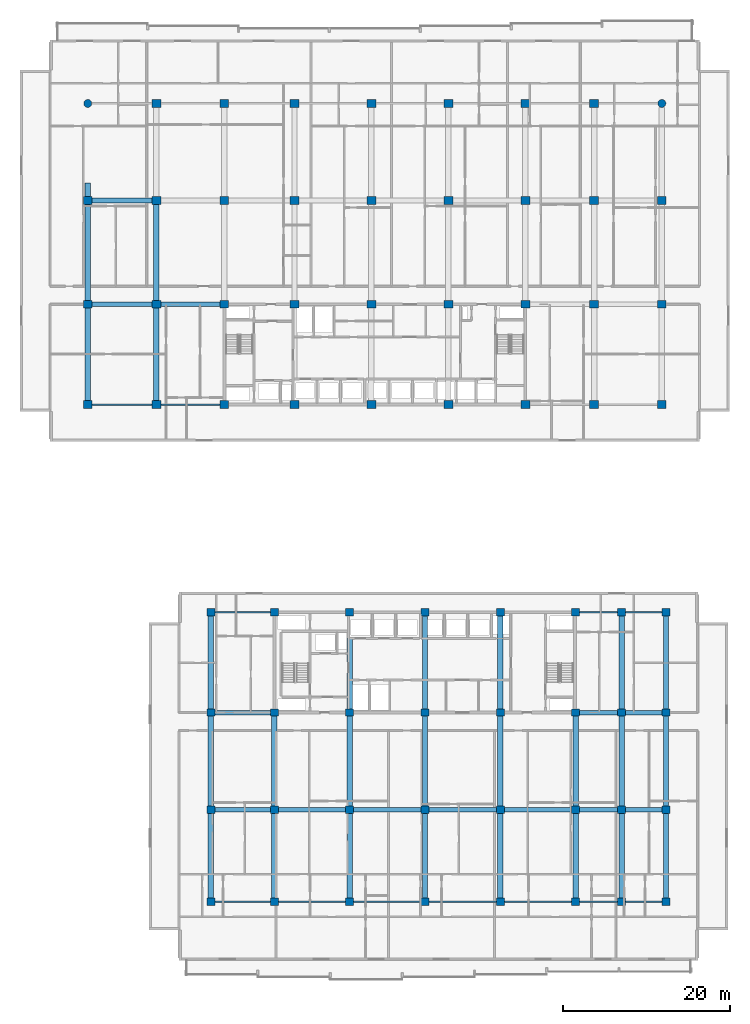
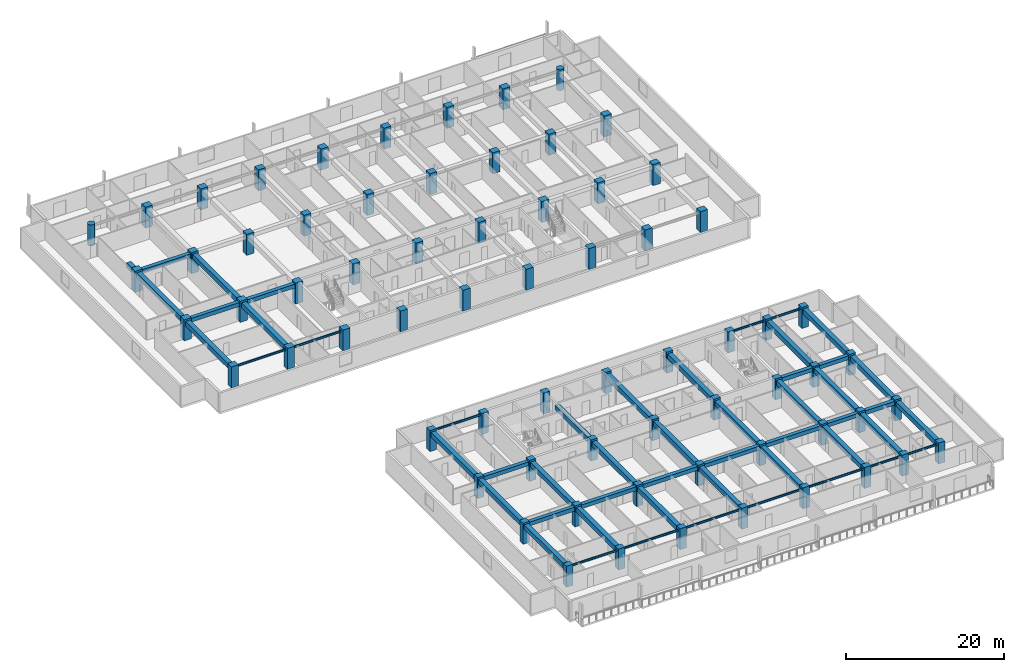
# One storey, part 1 of 24: 68 columns, 52 beams.
"""IFC4 building model written with IfcOpenShell, lengths in metres."""

from ifc_helpers import new_model, si_unit, direction, frame, origin, origin_2d, place, context, subcontext, project, spatial, rectangle, circle, i_section, extrude, material, material_profile, profile_set, type_object, element, save


model = new_model("IFC4")

# Units and contexts
model_context = context("Model", 3, precision=1e-05, world=origin(), true_north=direction((0.0, 1.0)))
body_context = subcontext(model_context, "Body", "Model", "MODEL_VIEW")
ifc_project = project(units=[si_unit("LENGTHUNIT", "METRE"), si_unit("AREAUNIT", "SQUARE_METRE"), si_unit("VOLUMEUNIT", "CUBIC_METRE"), si_unit("PLANEANGLEUNIT", "RADIAN"), si_unit("MASSUNIT", "GRAM", prefix="KILO")], contexts=[model_context])

# Site, building, storey
site_placement = place(None, origin())
site = spatial("IfcSite", under=ifc_project, at=site_placement, CompositionType="ELEMENT")
building_placement = place(site_placement, origin())
building = spatial("IfcBuilding", under=site, at=building_placement, Name="Korimba Cascade Residences", CompositionType="ELEMENT")
storey_placement = place(building_placement, frame((0.0, 0.0, 63.0)))
storey = spatial("IfcBuildingStorey", under=building, at=storey_placement, Name="L17", CompositionType="ELEMENT", Elevation=63.0)

# Columns
ifc_material_1 = material(Name="Concrete C80/95", Category="concrete")
ifc_material_profile_1 = material_profile(ifc_material_1, rectangle(XDim=1.050048828125, YDim=0.949951171875, at=origin_2d()), Name="Concrete C80/95")
ifc_profile_set_1 = profile_set([ifc_material_profile_1], Name="Concrete C80/95")
column_type_1 = type_object("IfcColumnType", Name="COL-RC-1050", PredefinedType="COLUMN", material=ifc_profile_set_1)
for number, where, z_axis, x_axis, name in (
    (1, (59.800048828125, 55.199951171875, 0.0), (0.0, 0.0, 1.0), (1.0, 0.0, 0.0), "L17 Tower 1 Column 1.1"),
    (2, (59.800048828125, 67.199951171875, 0.0), (0.0, 0.0, 1.0), (1.0, 0.0, 0.0), "L17 Tower 1 Column 1.2"),
    (3, (59.800048828125, 79.60009765625, 0.0), (0.0, 0.0, 1.0), (1.0, 0.0, 0.0), "L17 Tower 1 Column 1.3"),
    (4, (68.0, 55.199951171875, 0.0), (0.0, 0.0, 1.0), (1.0, 0.0, 0.0), "L17 Tower 1 Column 2.1"),
    (5, (68.0, 67.199951171875, 0.0), (0.0, 0.0, 1.0), (1.0, 0.0, 0.0), "L17 Tower 1 Column 2.2"),
    (6, (68.0, 79.60009765625, 0.0), (0.0, 0.0, 1.0), (1.0, 0.0, 0.0), "L17 Tower 1 Column 2.3"),
    (7, (68.0, 91.199951171875, 0.0), (0.0, 0.0, 1.0), (1.0, 0.0, 0.0), "L17 Tower 1 Column 2.4"),
    (8, (76.10009765625, 55.199951171875, 0.0), (0.0, 0.0, 1.0), (1.0, 0.0, 0.0), "L17 Tower 1 Column 3.1"),
    (9, (76.10009765625, 67.199951171875, 0.0), (0.0, 0.0, 1.0), (1.0, 0.0, 0.0), "L17 Tower 1 Column 3.2"),
    (10, (76.10009765625, 79.60009765625, 0.0), (0.0, 0.0, 1.0), (1.0, 0.0, 0.0), "L17 Tower 1 Column 3.3"),
    (11, (76.10009765625, 91.199951171875, 0.0), (0.0, 0.0, 1.0), (1.0, 0.0, 0.0), "L17 Tower 1 Column 3.4"),
    (12, (84.5, 55.199951171875, 0.0), (0.0, 0.0, 1.0), (1.0, 0.0, 0.0), "L17 Tower 1 Column 4.1"),
    (13, (84.5, 67.199951171875, 0.0), (0.0, 0.0, 1.0), (1.0, 0.0, 0.0), "L17 Tower 1 Column 4.2"),
    (14, (84.5, 79.60009765625, 0.0), (0.0, 0.0, 1.0), (1.0, 0.0, 0.0), "L17 Tower 1 Column 4.3"),
    (15, (84.5, 91.199951171875, 0.0), (0.0, 0.0, 1.0), (1.0, 0.0, 0.0), "L17 Tower 1 Column 4.4"),
    (16, (93.699951171875, 55.199951171875, 0.0), (0.0, 0.0, 1.0), (1.0, 0.0, 0.0), "L17 Tower 1 Column 5.1"),
    (17, (93.699951171875, 67.199951171875, 0.0), (0.0, 0.0, 1.0), (1.0, 0.0, 0.0), "L17 Tower 1 Column 5.2"),
    (18, (93.699951171875, 79.60009765625, 0.0), (0.0, 0.0, 1.0), (1.0, 0.0, 0.0), "L17 Tower 1 Column 5.3"),
    (19, (93.699951171875, 91.199951171875, 0.0), (0.0, 0.0, 1.0), (1.0, 0.0, 0.0), "L17 Tower 1 Column 5.4"),
    (20, (102.89990234375, 55.199951171875, 0.0), (0.0, 0.0, 1.0), (1.0, 0.0, 0.0), "L17 Tower 1 Column 6.1"),
    (21, (102.89990234375, 67.199951171875, 0.0), (0.0, 0.0, 1.0), (1.0, 0.0, 0.0), "L17 Tower 1 Column 6.2"),
    (22, (102.89990234375, 79.60009765625, 0.0), (0.0, 0.0, 1.0), (1.0, 0.0, 0.0), "L17 Tower 1 Column 6.3"),
    (23, (102.89990234375, 91.199951171875, 0.0), (0.0, 0.0, 1.0), (1.0, 0.0, 0.0), "L17 Tower 1 Column 6.4"),
    (24, (112.10009765625, 55.199951171875, 0.0), (0.0, 0.0, 1.0), (1.0, 0.0, 0.0), "L17 Tower 1 Column 7.1"),
    (25, (112.10009765625, 67.199951171875, 0.0), (0.0, 0.0, 1.0), (1.0, 0.0, 0.0), "L17 Tower 1 Column 7.2"),
    (26, (112.10009765625, 79.60009765625, 0.0), (0.0, 0.0, 1.0), (1.0, 0.0, 0.0), "L17 Tower 1 Column 7.3"),
    (27, (112.10009765625, 91.199951171875, 0.0), (0.0, 0.0, 1.0), (1.0, 0.0, 0.0), "L17 Tower 1 Column 7.4"),
    (28, (120.300048828125, 55.199951171875, 0.0), (0.0, 0.0, 1.0), (1.0, 0.0, 0.0), "L17 Tower 1 Column 8.1"),
    (29, (120.300048828125, 67.199951171875, 0.0), (0.0, 0.0, 1.0), (1.0, 0.0, 0.0), "L17 Tower 1 Column 8.2"),
    (30, (120.300048828125, 79.60009765625, 0.0), (0.0, 0.0, 1.0), (1.0, 0.0, 0.0), "L17 Tower 1 Column 8.3"),
    (31, (120.300048828125, 91.199951171875, 0.0), (0.0, 0.0, 1.0), (1.0, 0.0, 0.0), "L17 Tower 1 Column 8.4"),
    (32, (128.39990234375, 55.199951171875, 0.0), (0.0, 0.0, 1.0), (1.0, 0.0, 0.0), "L17 Tower 1 Column 9.1"),
    (33, (128.39990234375, 67.199951171875, 0.0), (0.0, 0.0, 1.0), (1.0, 0.0, 0.0), "L17 Tower 1 Column 9.2"),
    (34, (128.39990234375, 79.60009765625, 0.0), (0.0, 0.0, 1.0), (1.0, 0.0, 0.0), "L17 Tower 1 Column 9.3"),
):
    element("IfcColumn", number, at=place(storey_placement, frame(where, z_axis=z_axis, x_axis=x_axis)), inside=storey, type_object=column_type_1, Name=name, PredefinedType="COLUMN", context=body_context, shape_type="SweptSolid", body=[
        extrude(rectangle(XDim=1.050048828125, YDim=0.949951171875, at=origin_2d()), origin(), (0.0, 0.0, 1.0), 3.25),
    ])
ifc_material_2 = material(Name="Concrete C65/80", Category="concrete")
ifc_material_profile_2 = material_profile(ifc_material_2, rectangle(XDim=0.949951171875, YDim=0.85009765625, at=origin_2d()), Name="Concrete C65/80")
ifc_profile_set_2 = profile_set([ifc_material_profile_2], Name="Concrete C65/80")
column_type_2 = type_object("IfcColumnType", Name="COL-RC-950", PredefinedType="COLUMN", material=ifc_profile_set_2)
for number, where, z_axis, x_axis, name in (
    (35, (74.5, -4.199951171875, 0.0), (0.0, 0.0, 1.0), (1.0, 0.0, 0.0), "L17 Tower 2 Column 1.1"),
    (36, (74.5, 6.800048828125, 0.0), (0.0, 0.0, 1.0), (1.0, 0.0, 0.0), "L17 Tower 2 Column 1.2"),
    (37, (74.5, 18.39990234375, 0.0), (0.0, 0.0, 1.0), (1.0, 0.0, 0.0), "L17 Tower 2 Column 1.3"),
    (38, (74.5, 30.39990234375, 0.0), (0.0, 0.0, 1.0), (1.0, 0.0, 0.0), "L17 Tower 2 Column 1.4"),
    (39, (82.10009765625, -4.199951171875, 0.0), (0.0, 0.0, 1.0), (1.0, 0.0, 0.0), "L17 Tower 2 Column 2.1"),
    (40, (82.10009765625, 6.800048828125, 0.0), (0.0, 0.0, 1.0), (1.0, 0.0, 0.0), "L17 Tower 2 Column 2.2"),
    (41, (82.10009765625, 18.39990234375, 0.0), (0.0, 0.0, 1.0), (1.0, 0.0, 0.0), "L17 Tower 2 Column 2.3"),
    (42, (82.10009765625, 30.39990234375, 0.0), (0.0, 0.0, 1.0), (1.0, 0.0, 0.0), "L17 Tower 2 Column 2.4"),
    (43, (91.10009765625, -4.199951171875, 0.0), (0.0, 0.0, 1.0), (1.0, 0.0, 0.0), "L17 Tower 2 Column 3.1"),
    (44, (91.10009765625, 6.800048828125, 0.0), (0.0, 0.0, 1.0), (1.0, 0.0, 0.0), "L17 Tower 2 Column 3.2"),
    (45, (91.10009765625, 18.39990234375, 0.0), (0.0, 0.0, 1.0), (1.0, 0.0, 0.0), "L17 Tower 2 Column 3.3"),
    (46, (91.10009765625, 30.39990234375, 0.0), (0.0, 0.0, 1.0), (1.0, 0.0, 0.0), "L17 Tower 2 Column 3.4"),
    (47, (100.10009765625, -4.199951171875, 0.0), (0.0, 0.0, 1.0), (1.0, 0.0, 0.0), "L17 Tower 2 Column 4.1"),
    (48, (100.10009765625, 6.800048828125, 0.0), (0.0, 0.0, 1.0), (1.0, 0.0, 0.0), "L17 Tower 2 Column 4.2"),
    (49, (100.10009765625, 18.39990234375, 0.0), (0.0, 0.0, 1.0), (1.0, 0.0, 0.0), "L17 Tower 2 Column 4.3"),
    (50, (100.10009765625, 30.39990234375, 0.0), (0.0, 0.0, 1.0), (1.0, 0.0, 0.0), "L17 Tower 2 Column 4.4"),
    (51, (109.10009765625, -4.199951171875, 0.0), (0.0, 0.0, 1.0), (1.0, 0.0, 0.0), "L17 Tower 2 Column 5.1"),
    (52, (109.10009765625, 6.800048828125, 0.0), (0.0, 0.0, 1.0), (1.0, 0.0, 0.0), "L17 Tower 2 Column 5.2"),
    (53, (109.10009765625, 18.39990234375, 0.0), (0.0, 0.0, 1.0), (1.0, 0.0, 0.0), "L17 Tower 2 Column 5.3"),
    (54, (109.10009765625, 30.39990234375, 0.0), (0.0, 0.0, 1.0), (1.0, 0.0, 0.0), "L17 Tower 2 Column 5.4"),
    (55, (118.10009765625, -4.199951171875, 0.0), (0.0, 0.0, 1.0), (1.0, 0.0, 0.0), "L17 Tower 2 Column 6.1"),
    (56, (118.10009765625, 6.800048828125, 0.0), (0.0, 0.0, 1.0), (1.0, 0.0, 0.0), "L17 Tower 2 Column 6.2"),
    (57, (118.10009765625, 18.39990234375, 0.0), (0.0, 0.0, 1.0), (1.0, 0.0, 0.0), "L17 Tower 2 Column 6.3"),
    (58, (118.10009765625, 30.39990234375, 0.0), (0.0, 0.0, 1.0), (1.0, 0.0, 0.0), "L17 Tower 2 Column 6.4"),
    (59, (123.60009765625, -4.199951171875, 0.0), (0.0, 0.0, 1.0), (1.0, 0.0, 0.0), "L17 Tower 2 Column 7.1"),
    (60, (123.60009765625, 6.800048828125, 0.0), (0.0, 0.0, 1.0), (1.0, 0.0, 0.0), "L17 Tower 2 Column 7.2"),
    (61, (123.60009765625, 18.39990234375, 0.0), (0.0, 0.0, 1.0), (1.0, 0.0, 0.0), "L17 Tower 2 Column 7.3"),
    (62, (123.60009765625, 30.39990234375, 0.0), (0.0, 0.0, 1.0), (1.0, 0.0, 0.0), "L17 Tower 2 Column 7.4"),
    (63, (128.89990234375, -4.199951171875, 0.0), (0.0, 0.0, 1.0), (1.0, 0.0, 0.0), "L17 Tower 2 Column 8.1"),
    (64, (128.89990234375, 6.800048828125, 0.0), (0.0, 0.0, 1.0), (1.0, 0.0, 0.0), "L17 Tower 2 Column 8.2"),
    (65, (128.89990234375, 18.39990234375, 0.0), (0.0, 0.0, 1.0), (1.0, 0.0, 0.0), "L17 Tower 2 Column 8.3"),
    (66, (128.89990234375, 30.39990234375, 0.0), (0.0, 0.0, 1.0), (1.0, 0.0, 0.0), "L17 Tower 2 Column 8.4"),
):
    element("IfcColumn", number, at=place(storey_placement, frame(where, z_axis=z_axis, x_axis=x_axis)), inside=storey, type_object=column_type_2, Name=name, PredefinedType="COLUMN", context=body_context, shape_type="SweptSolid", body=[
        extrude(rectangle(XDim=0.949951171875, YDim=0.85009765625, at=origin_2d()), origin(), (0.0, 0.0, 1.0), 3.25),
    ])
ifc_material_profile_3 = material_profile(ifc_material_1, circle(Radius=0.47509765625, at=origin_2d()), Name="Concrete C80/95")
ifc_profile_set_3 = profile_set([ifc_material_profile_3], Name="Concrete C80/95")
column_type_3 = type_object("IfcColumnType", Name="COL-RC-D950", PredefinedType="COLUMN", material=ifc_profile_set_3)
for number, where, z_axis, x_axis, name in (
    (67, (59.800048828125, 91.199951171875, 0.0), (0.0, 0.0, 1.0), (1.0, 0.0, 0.0), "L17 Tower 1 Column 1.4"),
    (68, (128.39990234375, 91.199951171875, 0.0), (0.0, 0.0, 1.0), (1.0, 0.0, 0.0), "L17 Tower 1 Column 9.4"),
):
    element("IfcColumn", number, at=place(storey_placement, frame(where, z_axis=z_axis, x_axis=x_axis)), inside=storey, type_object=column_type_3, Name=name, PredefinedType="COLUMN", context=body_context, shape_type="SweptSolid", body=[
        extrude(circle(Radius=0.47509765625, at=origin_2d()), origin(), (0.0, 0.0, 1.0), 3.25),
    ])

# Beams
ifc_material_3 = material(Name="Concrete C50/60", Category="concrete")
ifc_material_profile_4 = material_profile(ifc_material_3, rectangle(XDim=0.550048828125, YDim=0.60009765625, at=origin_2d()), Name="Concrete C50/60")
ifc_profile_set_4 = profile_set([ifc_material_profile_4], Name="Concrete C50/60")
beam_type_1 = type_object("IfcBeamType", Name="BM-RC-B600", PredefinedType="BEAM", material=ifc_profile_set_4)
beam_1_placement = place(storey_placement, frame((60.324951171875, 67.199951171875, 2.669921875), z_axis=(1.0, 0.0, 0.0), x_axis=(0.0, 1.0, 0.0)))
element("IfcBeam", 69, at=beam_1_placement, inside=storey, type_object=beam_type_1, Name="L17 T1 E-W Girder Y2 Bay 1", PredefinedType="BEAM", context=body_context, shape_type="SweptSolid", body=[
    extrude(rectangle(XDim=0.550048828125, YDim=0.60009765625, at=origin_2d()), origin(), (0.0, 0.0, 1.0), 7.150146484375),
])
beam_2_placement = place(storey_placement, frame((68.52490234375, 67.199951171875, 2.669921875), z_axis=(1.0, 0.0, 0.0), x_axis=(0.0, 1.0, 0.0)))
element("IfcBeam", 70, at=beam_2_placement, inside=storey, type_object=beam_type_1, Name="L17 T1 E-W Girder Y2 Bay 2", PredefinedType="BEAM", context=body_context, shape_type="SweptSolid", body=[
    extrude(rectangle(XDim=0.550048828125, YDim=0.60009765625, at=origin_2d()), origin(), (0.0, 0.0, 1.0), 7.050048828125),
])
beam_3_placement = place(storey_placement, frame((60.324951171875, 79.60009765625, 2.669921875), z_axis=(1.0, 0.0, 0.0), x_axis=(0.0, 1.0, 0.0)))
element("IfcBeam", 71, at=beam_3_placement, inside=storey, type_object=beam_type_1, Name="L17 T1 E-W Girder Y3 Bay 1", PredefinedType="BEAM", context=body_context, shape_type="SweptSolid", body=[
    extrude(rectangle(XDim=0.550048828125, YDim=0.60009765625, at=origin_2d()), origin(), (0.0, 0.0, 1.0), 7.150146484375),
])
beam_4_placement = place(storey_placement, frame((74.97509765625, 6.800048828125, 2.669921875), z_axis=(1.0, 0.0, 0.0), x_axis=(0.0, 1.0, 0.0)))
element("IfcBeam", 72, at=beam_4_placement, inside=storey, type_object=beam_type_1, Name="L17 T2 E-W Girder Y2 Bay 1", PredefinedType="BEAM", context=body_context, shape_type="SweptSolid", body=[
    extrude(rectangle(XDim=0.550048828125, YDim=0.60009765625, at=origin_2d()), origin(), (0.0, 0.0, 1.0), 6.64990234375),
])
for number, where, z_axis, x_axis, name in (
    (73, (82.574951171875, 6.800048828125, 2.669921875), (1.0, 0.0, 0.0), (0.0, 1.0, 0.0), "L17 T2 E-W Girder Y2 Bay 2"),
    (74, (91.574951171875, 6.800048828125, 2.669921875), (1.0, 0.0, 0.0), (0.0, 1.0, 0.0), "L17 T2 E-W Girder Y2 Bay 3"),
    (75, (100.574951171875, 6.800048828125, 2.669921875), (1.0, 0.0, 0.0), (0.0, 1.0, 0.0), "L17 T2 E-W Girder Y2 Bay 4"),
    (76, (109.574951171875, 6.800048828125, 2.669921875), (1.0, 0.0, 0.0), (0.0, 1.0, 0.0), "L17 T2 E-W Girder Y2 Bay 5"),
):
    element("IfcBeam", number, at=place(storey_placement, frame(where, z_axis=z_axis, x_axis=x_axis)), inside=storey, type_object=beam_type_1, Name=name, PredefinedType="BEAM", context=body_context, shape_type="SweptSolid", body=[
        extrude(rectangle(XDim=0.550048828125, YDim=0.60009765625, at=origin_2d()), origin(), (0.0, 0.0, 1.0), 8.050048828125),
    ])
beam_5_placement = place(storey_placement, frame((118.574951171875, 6.800048828125, 2.669921875), z_axis=(1.0, 0.0, 0.0), x_axis=(0.0, 1.0, 0.0)))
element("IfcBeam", 77, at=beam_5_placement, inside=storey, type_object=beam_type_1, Name="L17 T2 E-W Girder Y2 Bay 6", PredefinedType="BEAM", context=body_context, shape_type="SweptSolid", body=[
    extrude(rectangle(XDim=0.550048828125, YDim=0.60009765625, at=origin_2d()), origin(), (0.0, 0.0, 1.0), 4.550048828125),
])
beam_6_placement = place(storey_placement, frame((124.074951171875, 6.800048828125, 2.669921875), z_axis=(1.0, 0.0, 0.0), x_axis=(0.0, 1.0, 0.0)))
element("IfcBeam", 78, at=beam_6_placement, inside=storey, type_object=beam_type_1, Name="L17 T2 E-W Girder Y2 Bay 7", PredefinedType="BEAM", context=body_context, shape_type="SweptSolid", body=[
    extrude(rectangle(XDim=0.550048828125, YDim=0.60009765625, at=origin_2d()), origin(), (0.0, 0.0, 1.0), 4.35009765625),
])
beam_7_placement = place(storey_placement, frame((74.97509765625, 18.39990234375, 2.669921875), z_axis=(1.0, 0.0, 0.0), x_axis=(0.0, 1.0, 0.0)))
element("IfcBeam", 79, at=beam_7_placement, inside=storey, type_object=beam_type_1, Name="L17 T2 E-W Girder Y3 Bay 1", PredefinedType="BEAM", context=body_context, shape_type="SweptSolid", body=[
    extrude(rectangle(XDim=0.550048828125, YDim=0.60009765625, at=origin_2d()), origin(), (0.0, 0.0, 1.0), 6.64990234375),
])
beam_8_placement = place(storey_placement, frame((118.574951171875, 18.39990234375, 2.669921875), z_axis=(1.0, 0.0, 0.0), x_axis=(0.0, 1.0, 0.0)))
element("IfcBeam", 80, at=beam_8_placement, inside=storey, type_object=beam_type_1, Name="L17 T2 E-W Girder Y3 Bay 6", PredefinedType="BEAM", context=body_context, shape_type="SweptSolid", body=[
    extrude(rectangle(XDim=0.550048828125, YDim=0.60009765625, at=origin_2d()), origin(), (0.0, 0.0, 1.0), 4.550048828125),
])
beam_9_placement = place(storey_placement, frame((124.074951171875, 18.39990234375, 2.669921875), z_axis=(1.0, 0.0, 0.0), x_axis=(0.0, 1.0, 0.0)))
element("IfcBeam", 81, at=beam_9_placement, inside=storey, type_object=beam_type_1, Name="L17 T2 E-W Girder Y3 Bay 7", PredefinedType="BEAM", context=body_context, shape_type="SweptSolid", body=[
    extrude(rectangle(XDim=0.550048828125, YDim=0.60009765625, at=origin_2d()), origin(), (0.0, 0.0, 1.0), 4.35009765625),
])
ifc_material_profile_5 = material_profile(ifc_material_3, rectangle(XDim=0.64990234375, YDim=0.75, at=origin_2d()), Name="Concrete C50/60")
ifc_profile_set_5 = profile_set([ifc_material_profile_5], Name="Concrete C50/60")
beam_type_2 = type_object("IfcBeamType", Name="BM-RC-G750", PredefinedType="BEAM", material=ifc_profile_set_5)
beam_10_placement = place(storey_placement, frame((59.800048828125, 55.675048828125, 2.594970703125), z_axis=(0.0, 1.0, 0.0), x_axis=(-1.0, 0.0, 0.0)))
element("IfcBeam", 82, at=beam_10_placement, inside=storey, type_object=beam_type_2, Name="L17 T1 N-S Girder X1 Seg 1", PredefinedType="BEAM", context=body_context, shape_type="SweptSolid", body=[
    extrude(rectangle(XDim=0.64990234375, YDim=0.75, at=origin_2d()), origin(), (0.0, 0.0, 1.0), 11.050048828125),
])
beam_11_placement = place(storey_placement, frame((59.800048828125, 67.675048828125, 2.594970703125), z_axis=(0.0, 1.0, 0.0), x_axis=(-1.0, 0.0, 0.0)))
element("IfcBeam", 83, at=beam_11_placement, inside=storey, type_object=beam_type_2, Name="L17 T1 N-S Girder X1 Seg 2", PredefinedType="BEAM", context=body_context, shape_type="SweptSolid", body=[
    extrude(rectangle(XDim=0.64990234375, YDim=0.75, at=origin_2d()), origin(), (0.0, 0.0, 1.0), 11.449951171875),
])
beam_12_placement = place(storey_placement, frame((59.800048828125, 80.074951171875, 2.594970703125), z_axis=(0.0, 1.0, 0.0), x_axis=(-1.0, 0.0, 0.0)))
element("IfcBeam", 84, at=beam_12_placement, inside=storey, type_object=beam_type_2, Name="L17 T1 N-S Girder X1 Seg 3", PredefinedType="BEAM", context=body_context, shape_type="SweptSolid", body=[
    extrude(rectangle(XDim=0.64990234375, YDim=0.75, at=origin_2d()), origin(), (0.0, 0.0, 1.0), 1.625),
])
beam_13_placement = place(storey_placement, frame((68.0, 55.675048828125, 2.594970703125), z_axis=(0.0, 1.0, 0.0), x_axis=(-1.0, 0.0, 0.0)))
element("IfcBeam", 85, at=beam_13_placement, inside=storey, type_object=beam_type_2, Name="L17 T1 N-S Girder X2 Seg 1", PredefinedType="BEAM", context=body_context, shape_type="SweptSolid", body=[
    extrude(rectangle(XDim=0.64990234375, YDim=0.75, at=origin_2d()), origin(), (0.0, 0.0, 1.0), 11.050048828125),
])
beam_14_placement = place(storey_placement, frame((68.0, 67.675048828125, 2.594970703125), z_axis=(0.0, 1.0, 0.0), x_axis=(-1.0, 0.0, 0.0)))
element("IfcBeam", 86, at=beam_14_placement, inside=storey, type_object=beam_type_2, Name="L17 T1 N-S Girder X2 Seg 2", PredefinedType="BEAM", context=body_context, shape_type="SweptSolid", body=[
    extrude(rectangle(XDim=0.64990234375, YDim=0.75, at=origin_2d()), origin(), (0.0, 0.0, 1.0), 11.449951171875),
])
beam_15_placement = place(storey_placement, frame((74.5, -3.77490234375, 2.594970703125), z_axis=(0.0, 1.0, 0.0), x_axis=(-1.0, 0.0, 0.0)))
element("IfcBeam", 87, at=beam_15_placement, inside=storey, type_object=beam_type_2, Name="L17 T2 N-S Girder X1 Seg 1", PredefinedType="BEAM", context=body_context, shape_type="SweptSolid", body=[
    extrude(rectangle(XDim=0.64990234375, YDim=0.75, at=origin_2d()), origin(), (0.0, 0.0, 1.0), 10.14990234375),
])
beam_16_placement = place(storey_placement, frame((74.5, 7.22509765625, 2.594970703125), z_axis=(0.0, 1.0, 0.0), x_axis=(-1.0, 0.0, 0.0)))
element("IfcBeam", 88, at=beam_16_placement, inside=storey, type_object=beam_type_2, Name="L17 T2 N-S Girder X1 Seg 2", PredefinedType="BEAM", context=body_context, shape_type="SweptSolid", body=[
    extrude(rectangle(XDim=0.64990234375, YDim=0.75, at=origin_2d()), origin(), (0.0, 0.0, 1.0), 10.75),
])
beam_17_placement = place(storey_placement, frame((74.5, 18.824951171875, 2.594970703125), z_axis=(0.0, 1.0, 0.0), x_axis=(-1.0, 0.0, 0.0)))
element("IfcBeam", 89, at=beam_17_placement, inside=storey, type_object=beam_type_2, Name="L17 T2 N-S Girder X1 Seg 3", PredefinedType="BEAM", context=body_context, shape_type="SweptSolid", body=[
    extrude(rectangle(XDim=0.64990234375, YDim=0.75, at=origin_2d()), origin(), (0.0, 0.0, 1.0), 11.150146484375),
])
beam_18_placement = place(storey_placement, frame((82.10009765625, -3.77490234375, 2.594970703125), z_axis=(0.0, 1.0, 0.0), x_axis=(-1.0, 0.0, 0.0)))
element("IfcBeam", 90, at=beam_18_placement, inside=storey, type_object=beam_type_2, Name="L17 T2 N-S Girder X2 Seg 1", PredefinedType="BEAM", context=body_context, shape_type="SweptSolid", body=[
    extrude(rectangle(XDim=0.64990234375, YDim=0.75, at=origin_2d()), origin(), (0.0, 0.0, 1.0), 10.14990234375),
])
beam_19_placement = place(storey_placement, frame((82.10009765625, 7.22509765625, 2.594970703125), z_axis=(0.0, 1.0, 0.0), x_axis=(-1.0, 0.0, 0.0)))
element("IfcBeam", 91, at=beam_19_placement, inside=storey, type_object=beam_type_2, Name="L17 T2 N-S Girder X2 Seg 2", PredefinedType="BEAM", context=body_context, shape_type="SweptSolid", body=[
    extrude(rectangle(XDim=0.64990234375, YDim=0.75, at=origin_2d()), origin(), (0.0, 0.0, 1.0), 10.75),
])
beam_20_placement = place(storey_placement, frame((91.10009765625, -3.77490234375, 2.594970703125), z_axis=(0.0, 1.0, 0.0), x_axis=(-1.0, 0.0, 0.0)))
element("IfcBeam", 92, at=beam_20_placement, inside=storey, type_object=beam_type_2, Name="L17 T2 N-S Girder X3 Seg 1", PredefinedType="BEAM", context=body_context, shape_type="SweptSolid", body=[
    extrude(rectangle(XDim=0.64990234375, YDim=0.75, at=origin_2d()), origin(), (0.0, 0.0, 1.0), 10.14990234375),
])
beam_21_placement = place(storey_placement, frame((91.10009765625, 7.22509765625, 2.594970703125), z_axis=(0.0, 1.0, 0.0), x_axis=(-1.0, 0.0, 0.0)))
element("IfcBeam", 93, at=beam_21_placement, inside=storey, type_object=beam_type_2, Name="L17 T2 N-S Girder X3 Seg 2", PredefinedType="BEAM", context=body_context, shape_type="SweptSolid", body=[
    extrude(rectangle(XDim=0.64990234375, YDim=0.75, at=origin_2d()), origin(), (0.0, 0.0, 1.0), 10.75),
])
beam_22_placement = place(storey_placement, frame((91.10009765625, 18.824951171875, 2.594970703125), z_axis=(0.0, 1.0, 0.0), x_axis=(-1.0, 0.0, 0.0)))
element("IfcBeam", 94, at=beam_22_placement, inside=storey, type_object=beam_type_2, Name="L17 T2 N-S Girder X3 Seg 3", PredefinedType="BEAM", context=body_context, shape_type="SweptSolid", body=[
    extrude(rectangle(XDim=0.64990234375, YDim=0.75, at=origin_2d()), origin(), (0.0, 0.0, 1.0), 8.51513671875),
])
beam_23_placement = place(storey_placement, frame((100.10009765625, -3.77490234375, 2.594970703125), z_axis=(0.0, 1.0, 0.0), x_axis=(-1.0, 0.0, 0.0)))
element("IfcBeam", 95, at=beam_23_placement, inside=storey, type_object=beam_type_2, Name="L17 T2 N-S Girder X4 Seg 1", PredefinedType="BEAM", context=body_context, shape_type="SweptSolid", body=[
    extrude(rectangle(XDim=0.64990234375, YDim=0.75, at=origin_2d()), origin(), (0.0, 0.0, 1.0), 10.14990234375),
])
beam_24_placement = place(storey_placement, frame((100.10009765625, 7.22509765625, 2.594970703125), z_axis=(0.0, 1.0, 0.0), x_axis=(-1.0, 0.0, 0.0)))
element("IfcBeam", 96, at=beam_24_placement, inside=storey, type_object=beam_type_2, Name="L17 T2 N-S Girder X4 Seg 2", PredefinedType="BEAM", context=body_context, shape_type="SweptSolid", body=[
    extrude(rectangle(XDim=0.64990234375, YDim=0.75, at=origin_2d()), origin(), (0.0, 0.0, 1.0), 10.75),
])
beam_25_placement = place(storey_placement, frame((100.10009765625, 18.824951171875, 2.594970703125), z_axis=(0.0, 1.0, 0.0), x_axis=(-1.0, 0.0, 0.0)))
element("IfcBeam", 97, at=beam_25_placement, inside=storey, type_object=beam_type_2, Name="L17 T2 N-S Girder X4 Seg 3", PredefinedType="BEAM", context=body_context, shape_type="SweptSolid", body=[
    extrude(rectangle(XDim=0.64990234375, YDim=0.75, at=origin_2d()), origin(), (0.0, 0.0, 1.0), 11.150146484375),
])
beam_26_placement = place(storey_placement, frame((109.10009765625, -3.77490234375, 2.594970703125), z_axis=(0.0, 1.0, 0.0), x_axis=(-1.0, 0.0, 0.0)))
element("IfcBeam", 98, at=beam_26_placement, inside=storey, type_object=beam_type_2, Name="L17 T2 N-S Girder X5 Seg 1", PredefinedType="BEAM", context=body_context, shape_type="SweptSolid", body=[
    extrude(rectangle(XDim=0.64990234375, YDim=0.75, at=origin_2d()), origin(), (0.0, 0.0, 1.0), 10.14990234375),
])
beam_27_placement = place(storey_placement, frame((109.10009765625, 7.22509765625, 2.594970703125), z_axis=(0.0, 1.0, 0.0), x_axis=(-1.0, 0.0, 0.0)))
element("IfcBeam", 99, at=beam_27_placement, inside=storey, type_object=beam_type_2, Name="L17 T2 N-S Girder X5 Seg 2", PredefinedType="BEAM", context=body_context, shape_type="SweptSolid", body=[
    extrude(rectangle(XDim=0.64990234375, YDim=0.75, at=origin_2d()), origin(), (0.0, 0.0, 1.0), 10.75),
])
beam_28_placement = place(storey_placement, frame((109.10009765625, 18.824951171875, 2.594970703125), z_axis=(0.0, 1.0, 0.0), x_axis=(-1.0, 0.0, 0.0)))
element("IfcBeam", 100, at=beam_28_placement, inside=storey, type_object=beam_type_2, Name="L17 T2 N-S Girder X5 Seg 3", PredefinedType="BEAM", context=body_context, shape_type="SweptSolid", body=[
    extrude(rectangle(XDim=0.64990234375, YDim=0.75, at=origin_2d()), origin(), (0.0, 0.0, 1.0), 11.150146484375),
])
beam_29_placement = place(storey_placement, frame((118.10009765625, -3.77490234375, 2.594970703125), z_axis=(0.0, 1.0, 0.0), x_axis=(-1.0, 0.0, 0.0)))
element("IfcBeam", 101, at=beam_29_placement, inside=storey, type_object=beam_type_2, Name="L17 T2 N-S Girder X6 Seg 1", PredefinedType="BEAM", context=body_context, shape_type="SweptSolid", body=[
    extrude(rectangle(XDim=0.64990234375, YDim=0.75, at=origin_2d()), origin(), (0.0, 0.0, 1.0), 10.14990234375),
])
beam_30_placement = place(storey_placement, frame((118.10009765625, 7.22509765625, 2.594970703125), z_axis=(0.0, 1.0, 0.0), x_axis=(-1.0, 0.0, 0.0)))
element("IfcBeam", 102, at=beam_30_placement, inside=storey, type_object=beam_type_2, Name="L17 T2 N-S Girder X6 Seg 2", PredefinedType="BEAM", context=body_context, shape_type="SweptSolid", body=[
    extrude(rectangle(XDim=0.64990234375, YDim=0.75, at=origin_2d()), origin(), (0.0, 0.0, 1.0), 10.75),
])
beam_31_placement = place(storey_placement, frame((123.60009765625, -3.77490234375, 2.594970703125), z_axis=(0.0, 1.0, 0.0), x_axis=(-1.0, 0.0, 0.0)))
element("IfcBeam", 103, at=beam_31_placement, inside=storey, type_object=beam_type_2, Name="L17 T2 N-S Girder X7 Seg 1", PredefinedType="BEAM", context=body_context, shape_type="SweptSolid", body=[
    extrude(rectangle(XDim=0.64990234375, YDim=0.75, at=origin_2d()), origin(), (0.0, 0.0, 1.0), 10.14990234375),
])
beam_32_placement = place(storey_placement, frame((123.60009765625, 7.22509765625, 2.594970703125), z_axis=(0.0, 1.0, 0.0), x_axis=(-1.0, 0.0, 0.0)))
element("IfcBeam", 104, at=beam_32_placement, inside=storey, type_object=beam_type_2, Name="L17 T2 N-S Girder X7 Seg 2", PredefinedType="BEAM", context=body_context, shape_type="SweptSolid", body=[
    extrude(rectangle(XDim=0.64990234375, YDim=0.75, at=origin_2d()), origin(), (0.0, 0.0, 1.0), 10.75),
])
beam_33_placement = place(storey_placement, frame((123.60009765625, 18.824951171875, 2.594970703125), z_axis=(0.0, 1.0, 0.0), x_axis=(-1.0, 0.0, 0.0)))
element("IfcBeam", 105, at=beam_33_placement, inside=storey, type_object=beam_type_2, Name="L17 T2 N-S Girder X7 Seg 3", PredefinedType="BEAM", context=body_context, shape_type="SweptSolid", body=[
    extrude(rectangle(XDim=0.64990234375, YDim=0.75, at=origin_2d()), origin(), (0.0, 0.0, 1.0), 11.150146484375),
])
beam_34_placement = place(storey_placement, frame((128.89990234375, -3.77490234375, 2.594970703125), z_axis=(0.0, 1.0, 0.0), x_axis=(-1.0, 0.0, 0.0)))
element("IfcBeam", 106, at=beam_34_placement, inside=storey, type_object=beam_type_2, Name="L17 T2 N-S Girder X8 Seg 1", PredefinedType="BEAM", context=body_context, shape_type="SweptSolid", body=[
    extrude(rectangle(XDim=0.64990234375, YDim=0.75, at=origin_2d()), origin(), (0.0, 0.0, 1.0), 10.14990234375),
])
beam_35_placement = place(storey_placement, frame((128.89990234375, 7.22509765625, 2.594970703125), z_axis=(0.0, 1.0, 0.0), x_axis=(-1.0, 0.0, 0.0)))
element("IfcBeam", 107, at=beam_35_placement, inside=storey, type_object=beam_type_2, Name="L17 T2 N-S Girder X8 Seg 2", PredefinedType="BEAM", context=body_context, shape_type="SweptSolid", body=[
    extrude(rectangle(XDim=0.64990234375, YDim=0.75, at=origin_2d()), origin(), (0.0, 0.0, 1.0), 10.75),
])
beam_36_placement = place(storey_placement, frame((128.89990234375, 18.824951171875, 2.594970703125), z_axis=(0.0, 1.0, 0.0), x_axis=(-1.0, 0.0, 0.0)))
element("IfcBeam", 108, at=beam_36_placement, inside=storey, type_object=beam_type_2, Name="L17 T2 N-S Girder X8 Seg 3", PredefinedType="BEAM", context=body_context, shape_type="SweptSolid", body=[
    extrude(rectangle(XDim=0.64990234375, YDim=0.75, at=origin_2d()), origin(), (0.0, 0.0, 1.0), 11.150146484375),
])
ifc_material_4 = material(Name="Steel S355", Category="steel")
ifc_material_profile_6 = material_profile(ifc_material_4, i_section(OverallWidth=0.165771484375, OverallDepth=0.306640625, WebThickness=0.006591796875, FlangeThickness=0.01171875, FilletRadius=0.0087890625, at=origin_2d()), Name="Steel S355")
ifc_profile_set_6 = profile_set([ifc_material_profile_6], Name="Steel S355")
beam_type_3 = type_object("IfcBeamType", Name="BM-STL-UB305", PredefinedType="SPANDREL", material=ifc_profile_set_6)
beam_37_placement = place(storey_placement, frame((60.324951171875, 55.199951171875, 2.816650390625), z_axis=(1.0, 0.0, 0.0), x_axis=(0.0, 1.0, 0.0)))
element("IfcBeam", 109, at=beam_37_placement, inside=storey, type_object=beam_type_3, Name="L17 T1 E-W Girder Y1 Bay 1", PredefinedType="SPANDREL", context=body_context, shape_type="SweptSolid", body=[
    extrude(i_section(OverallWidth=0.165771484375, OverallDepth=0.306640625, WebThickness=0.006591796875, FlangeThickness=0.01171875, FilletRadius=0.0087890625, at=origin_2d()), origin(), (0.0, 0.0, 1.0), 7.150146484375),
])
beam_38_placement = place(storey_placement, frame((68.52490234375, 55.199951171875, 2.816650390625), z_axis=(1.0, 0.0, 0.0), x_axis=(0.0, 1.0, 0.0)))
element("IfcBeam", 110, at=beam_38_placement, inside=storey, type_object=beam_type_3, Name="L17 T1 E-W Girder Y1 Bay 2", PredefinedType="SPANDREL", context=body_context, shape_type="SweptSolid", body=[
    extrude(i_section(OverallWidth=0.165771484375, OverallDepth=0.306640625, WebThickness=0.006591796875, FlangeThickness=0.01171875, FilletRadius=0.0087890625, at=origin_2d()), origin(), (0.0, 0.0, 1.0), 7.050048828125),
])
beam_39_placement = place(storey_placement, frame((74.97509765625, -4.199951171875, 2.816650390625), z_axis=(1.0, 0.0, 0.0), x_axis=(0.0, 1.0, 0.0)))
element("IfcBeam", 111, at=beam_39_placement, inside=storey, type_object=beam_type_3, Name="L17 T2 E-W Girder Y1 Bay 1", PredefinedType="SPANDREL", context=body_context, shape_type="SweptSolid", body=[
    extrude(i_section(OverallWidth=0.165771484375, OverallDepth=0.306640625, WebThickness=0.006591796875, FlangeThickness=0.01171875, FilletRadius=0.0087890625, at=origin_2d()), origin(), (0.0, 0.0, 1.0), 6.64990234375),
])
for number, where, z_axis, x_axis, name in (
    (112, (82.574951171875, -4.199951171875, 2.816650390625), (1.0, 0.0, 0.0), (0.0, 1.0, 0.0), "L17 T2 E-W Girder Y1 Bay 2"),
    (113, (91.574951171875, -4.199951171875, 2.816650390625), (1.0, 0.0, 0.0), (0.0, 1.0, 0.0), "L17 T2 E-W Girder Y1 Bay 3"),
    (114, (100.574951171875, -4.199951171875, 2.816650390625), (1.0, 0.0, 0.0), (0.0, 1.0, 0.0), "L17 T2 E-W Girder Y1 Bay 4"),
    (115, (109.574951171875, -4.199951171875, 2.816650390625), (1.0, 0.0, 0.0), (0.0, 1.0, 0.0), "L17 T2 E-W Girder Y1 Bay 5"),
):
    element("IfcBeam", number, at=place(storey_placement, frame(where, z_axis=z_axis, x_axis=x_axis)), inside=storey, type_object=beam_type_3, Name=name, PredefinedType="SPANDREL", context=body_context, shape_type="SweptSolid", body=[
        extrude(i_section(OverallWidth=0.165771484375, OverallDepth=0.306640625, WebThickness=0.006591796875, FlangeThickness=0.01171875, FilletRadius=0.0087890625, at=origin_2d()), origin(), (0.0, 0.0, 1.0), 8.050048828125),
    ])
beam_40_placement = place(storey_placement, frame((118.574951171875, -4.199951171875, 2.816650390625), z_axis=(1.0, 0.0, 0.0), x_axis=(0.0, 1.0, 0.0)))
element("IfcBeam", 116, at=beam_40_placement, inside=storey, type_object=beam_type_3, Name="L17 T2 E-W Girder Y1 Bay 6", PredefinedType="SPANDREL", context=body_context, shape_type="SweptSolid", body=[
    extrude(i_section(OverallWidth=0.165771484375, OverallDepth=0.306640625, WebThickness=0.006591796875, FlangeThickness=0.01171875, FilletRadius=0.0087890625, at=origin_2d()), origin(), (0.0, 0.0, 1.0), 4.550048828125),
])
beam_41_placement = place(storey_placement, frame((124.074951171875, -4.199951171875, 2.816650390625), z_axis=(1.0, 0.0, 0.0), x_axis=(0.0, 1.0, 0.0)))
element("IfcBeam", 117, at=beam_41_placement, inside=storey, type_object=beam_type_3, Name="L17 T2 E-W Girder Y1 Bay 7", PredefinedType="SPANDREL", context=body_context, shape_type="SweptSolid", body=[
    extrude(i_section(OverallWidth=0.165771484375, OverallDepth=0.306640625, WebThickness=0.006591796875, FlangeThickness=0.01171875, FilletRadius=0.0087890625, at=origin_2d()), origin(), (0.0, 0.0, 1.0), 4.35009765625),
])
beam_42_placement = place(storey_placement, frame((74.97509765625, 30.39990234375, 2.816650390625), z_axis=(1.0, 0.0, 0.0), x_axis=(0.0, 1.0, 0.0)))
element("IfcBeam", 118, at=beam_42_placement, inside=storey, type_object=beam_type_3, Name="L17 T2 E-W Girder Y4 Bay 1", PredefinedType="SPANDREL", context=body_context, shape_type="SweptSolid", body=[
    extrude(i_section(OverallWidth=0.165771484375, OverallDepth=0.306640625, WebThickness=0.006591796875, FlangeThickness=0.01171875, FilletRadius=0.0087890625, at=origin_2d()), origin(), (0.0, 0.0, 1.0), 6.64990234375),
])
beam_43_placement = place(storey_placement, frame((118.574951171875, 30.39990234375, 2.816650390625), z_axis=(1.0, 0.0, 0.0), x_axis=(0.0, 1.0, 0.0)))
element("IfcBeam", 119, at=beam_43_placement, inside=storey, type_object=beam_type_3, Name="L17 T2 E-W Girder Y4 Bay 6", PredefinedType="SPANDREL", context=body_context, shape_type="SweptSolid", body=[
    extrude(i_section(OverallWidth=0.165771484375, OverallDepth=0.306640625, WebThickness=0.006591796875, FlangeThickness=0.01171875, FilletRadius=0.0087890625, at=origin_2d()), origin(), (0.0, 0.0, 1.0), 4.550048828125),
])
beam_44_placement = place(storey_placement, frame((124.074951171875, 30.39990234375, 2.816650390625), z_axis=(1.0, 0.0, 0.0), x_axis=(0.0, 1.0, 0.0)))
element("IfcBeam", 120, at=beam_44_placement, inside=storey, type_object=beam_type_3, Name="L17 T2 E-W Girder Y4 Bay 7", PredefinedType="SPANDREL", context=body_context, shape_type="SweptSolid", body=[
    extrude(i_section(OverallWidth=0.165771484375, OverallDepth=0.306640625, WebThickness=0.006591796875, FlangeThickness=0.01171875, FilletRadius=0.0087890625, at=origin_2d()), origin(), (0.0, 0.0, 1.0), 4.35009765625),
])

save(model, "model.ifc")
